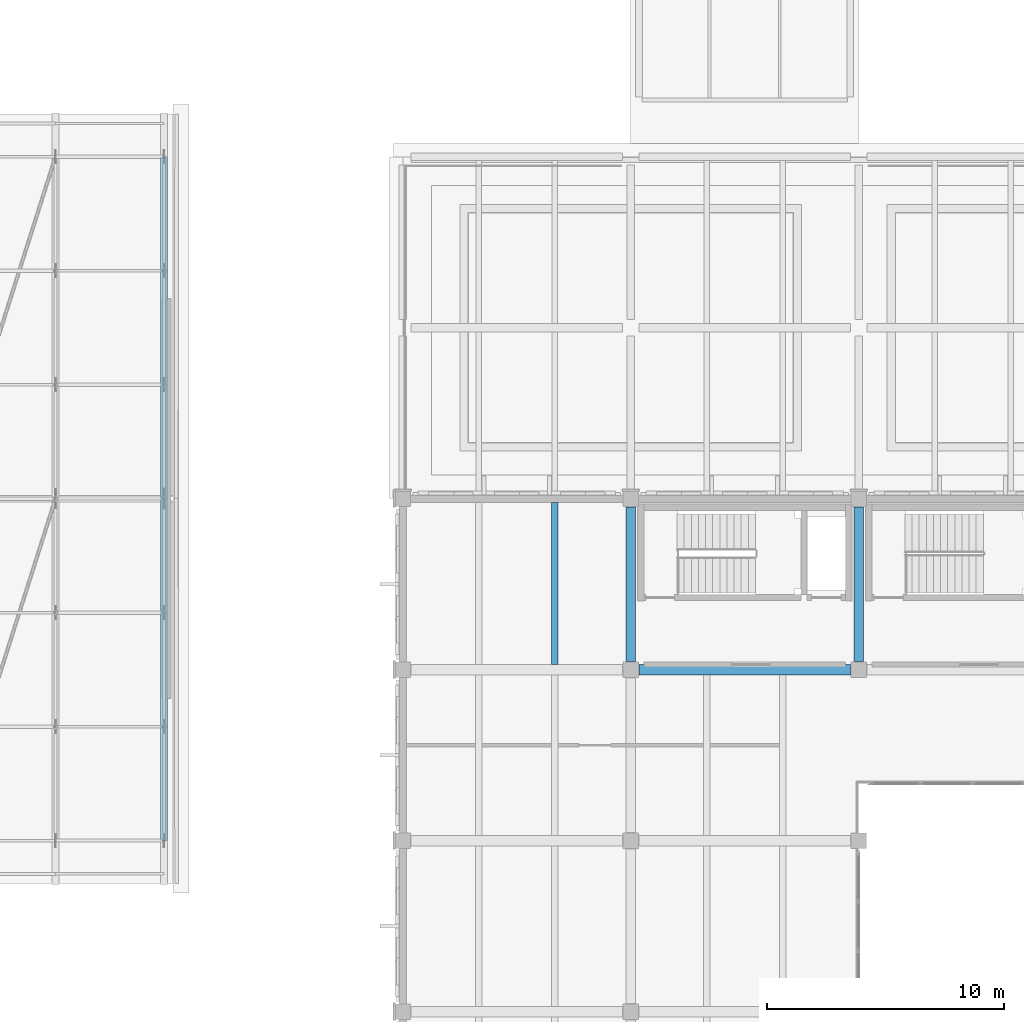
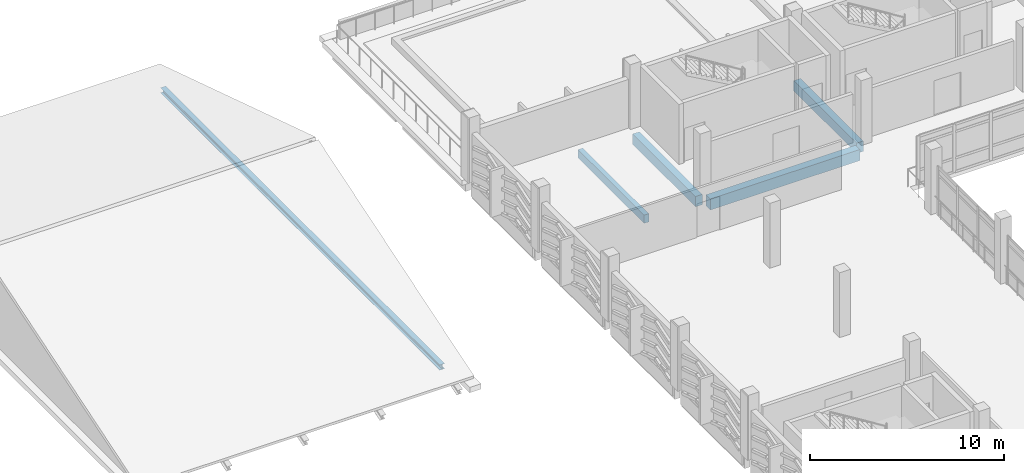
# One storey, part 32 of 134: 4 beams, 1 member.
"""IFC4 building model written with IfcOpenShell, lengths in metres."""

from ifc_helpers import new_model, si_unit, direction, frame, origin, origin_2d, place, context, subcontext, project, spatial, rectangle, i_section, extrude, material, material_profile, profile_set, type_object, element, save


model = new_model("IFC4")

# Units and contexts
model_context = context("Model", 3, precision=1e-05, world=origin(), true_north=direction((0.0, 1.0)))
body_context = subcontext(model_context, "Body", "Model", "MODEL_VIEW")
ifc_project = project(units=[si_unit("LENGTHUNIT", "METRE"), si_unit("AREAUNIT", "SQUARE_METRE"), si_unit("VOLUMEUNIT", "CUBIC_METRE"), si_unit("PLANEANGLEUNIT", "RADIAN"), si_unit("MASSUNIT", "GRAM", prefix="KILO")], contexts=[model_context])

# Site, building, storey
site_placement = place(None, origin())
site = spatial("IfcSite", under=ifc_project, at=site_placement, CompositionType="ELEMENT")
building_placement = place(site_placement, origin())
building = spatial("IfcBuilding", under=site, at=building_placement, Name="Asteropetra Specialist Clinic", CompositionType="ELEMENT")
storey_placement = place(building_placement, frame((0.0, 0.0, 8.5)))
storey = spatial("IfcBuildingStorey", under=building, at=storey_placement, Name="L02", CompositionType="ELEMENT", Elevation=8.5)

# Beams
ifc_material_1 = material(Name="Concrete C35/45", Category="concrete")
ifc_material_profile_1 = material_profile(ifc_material_1, rectangle(XDim=0.39990234375, YDim=0.64990234375, at=origin_2d()), Name="RCB 400x650")
ifc_profile_set_1 = profile_set([ifc_material_profile_1], Name="Concrete C35/45")
beam_type_1 = type_object("IfcBeamType", Name="BM-RC400x650", PredefinedType="BEAM", material=ifc_profile_set_1)
for number, where, z_axis, x_axis, name in (
    (1, (115.199951171875, 41.14990234375, -0.625), (0.0, 1.0, 0.0), (-1.0, 0.0, 0.0), "Beam BBM07-1230"),
    (2, (124.800048828125, 41.14990234375, -0.625), (0.0, 1.0, 0.0), (-1.0, 0.0, 0.0), "Beam BBM07-1231"),
):
    element("IfcBeam", number, at=place(storey_placement, frame(where, z_axis=z_axis, x_axis=x_axis)), inside=storey, type_object=beam_type_1, Name=name, PredefinedType="BEAM", context=body_context, shape_type="SweptSolid", body=[
        extrude(rectangle(XDim=0.39990234375, YDim=0.64990234375, at=origin_2d()), origin(), (0.0, 0.0, 1.0), 6.5),
    ])
ifc_material_2 = material(Name="Concrete C35/45", Category="concrete")
ifc_material_profile_2 = material_profile(ifc_material_2, rectangle(XDim=0.449951171875, YDim=0.699951171875, at=origin_2d()), Name="RCB 450x700")
ifc_profile_set_2 = profile_set([ifc_material_profile_2], Name="Concrete C35/45")
beam_type_2 = type_object("IfcBeamType", Name="BM-RC450x700", PredefinedType="BEAM", material=ifc_profile_set_2)
beam_1_placement = place(storey_placement, frame((115.550048828125, 40.800048828125, -0.64990234375), z_axis=(1.0, 0.0, 0.0), x_axis=(0.0, 1.0, 0.0)))
element("IfcBeam", 3, at=beam_1_placement, inside=storey, type_object=beam_type_2, Name="Beam BBM05-1145", PredefinedType="BEAM", context=body_context, shape_type="SweptSolid", body=[
    extrude(rectangle(XDim=0.449951171875, YDim=0.699951171875, at=origin_2d()), origin(), (0.0, 0.0, 1.0), 8.89990234375),
])
ifc_material_3 = material(Name="Concrete C35/45", Category="concrete")
ifc_material_profile_3 = material_profile(ifc_material_3, rectangle(XDim=0.280029296875, YDim=0.52001953125, at=origin_2d()), Name="RCJ 280x520")
ifc_profile_set_3 = profile_set([ifc_material_profile_3], Name="Concrete C35/45")
beam_type_3 = type_object("IfcBeamType", Name="JST-RC280x520", PredefinedType="JOIST", material=ifc_profile_set_3)
beam_2_placement = place(storey_placement, frame((112.0, 41.02490234375, -0.56005859375), z_axis=(0.0, 1.0, 0.0), x_axis=(-1.0, 0.0, 0.0)))
element("IfcBeam", 4, at=beam_2_placement, inside=storey, type_object=beam_type_3, Name="Joist JJST01-1236", PredefinedType="JOIST", context=body_context, shape_type="SweptSolid", body=[
    extrude(rectangle(XDim=0.280029296875, YDim=0.52001953125, at=origin_2d()), origin(), (0.0, 0.0, 1.0), 6.815185546875),
])

# Member
ifc_material_4 = material(Name="Steel S355", Category="steel")
ifc_material_profile_4 = material_profile(ifc_material_4, i_section(OverallWidth=0.300048828125, OverallDepth=0.330078125, WebThickness=0.009521484375, FlangeThickness=0.0166015625, FilletRadius=0.027099609375, at=origin_2d()), Name="HEA 340")
ifc_profile_set_4 = profile_set([ifc_material_profile_4], Name="Steel S355")
member_type = type_object("IfcMemberType", Name="TR-CHD-HEA340", PredefinedType="CHORD", material=ifc_profile_set_4)
member_placement = place(storey_placement, frame((95.550048828125, 33.60009765625, 0.364990234375), z_axis=(0.0, 1.0, 0.0), x_axis=(-1.0, 0.0, 0.0)))
element("IfcMember", 5, at=member_placement, inside=storey, type_object=member_type, Name="Truss Bottom Chord TRV3-BC05", PredefinedType="CHORD", context=body_context, shape_type="SweptSolid", body=[
    extrude(i_section(OverallWidth=0.300048828125, OverallDepth=0.330078125, WebThickness=0.009521484375, FlangeThickness=0.0166015625, FilletRadius=0.027099609375, at=origin_2d()), origin(), (0.0, 0.0, 1.0), 28.7998046875),
])

save(model, "model.ifc")
